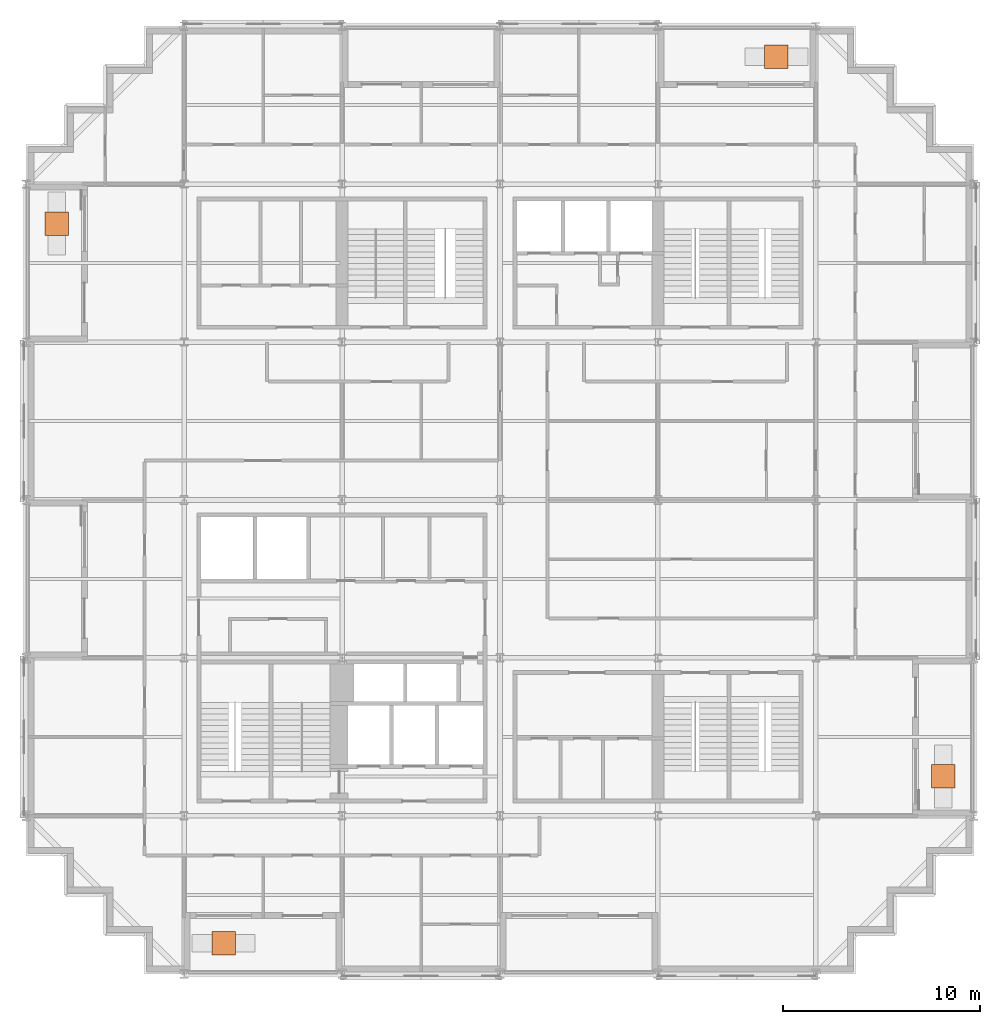
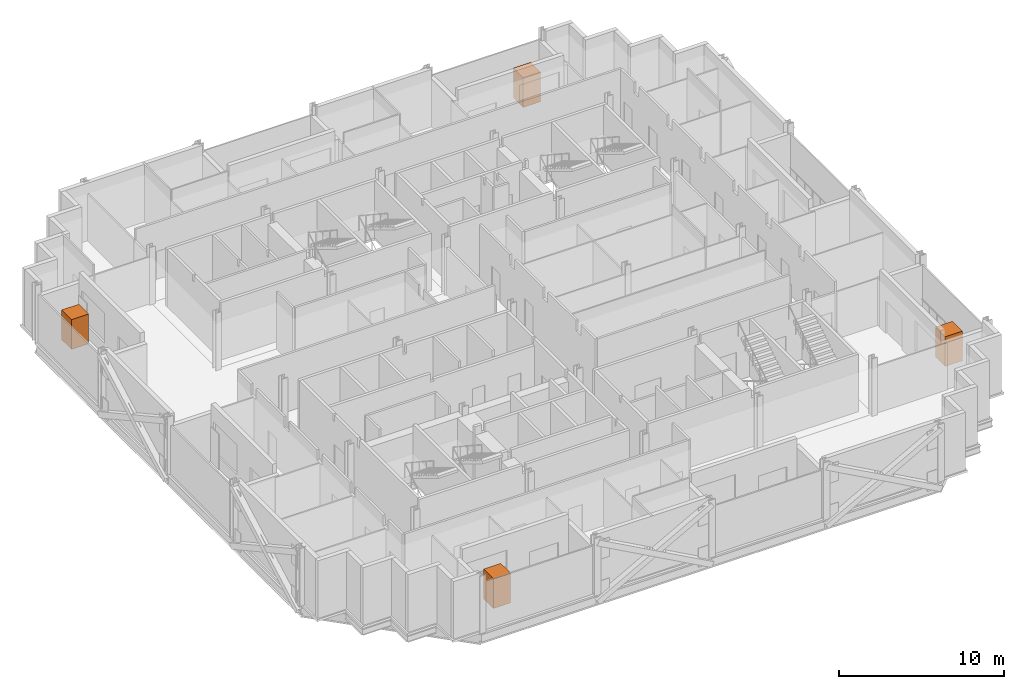
# One storey, part 15 of 15: 4 geographic elements.
"""IFC4 building model written with IfcOpenShell, lengths in metres."""

from ifc_helpers import new_model, si_unit, direction, frame, origin, origin_2d, place, context, subcontext, project, spatial, rectangle, extrude, material, type_object, element, save


model = new_model("IFC4")

# Units and contexts
model_context = context("Model", 3, precision=1e-05, world=origin(), true_north=direction((0.0, 1.0)))
body_context = subcontext(model_context, "Body", "Model", "MODEL_VIEW")
ifc_project = project(units=[si_unit("LENGTHUNIT", "METRE"), si_unit("AREAUNIT", "SQUARE_METRE"), si_unit("VOLUMEUNIT", "CUBIC_METRE"), si_unit("PLANEANGLEUNIT", "RADIAN"), si_unit("MASSUNIT", "GRAM", prefix="KILO")], contexts=[model_context])

# Site, building, storey
site_placement = place(None, origin())
site = spatial("IfcSite", under=ifc_project, at=site_placement, CompositionType="ELEMENT")
building_placement = place(site_placement, origin())
building = spatial("IfcBuilding", under=site, at=building_placement, Name="Immortelle Media Tower", CompositionType="ELEMENT")
storey_placement = place(building_placement, frame((0.0, 0.0, 65.60009765625)))
storey = spatial("IfcBuildingStorey", under=building, at=storey_placement, Name="L11", CompositionType="ELEMENT", Elevation=65.60009765625)

# Geographic elements
ifc_material = material(Name="Tree canopy foliage")
geographic_element_type = type_object("IfcGeographicElementType", Name="Tree", PredefinedType="USERDEFINED", material=ifc_material)
for number, where, z_axis, x_axis, name in (
    (1, (1.550048828125, 38.0, 0.60009765625), (0.0, 0.0, 1.0), (1.0, 0.0, 0.0), "Tree L11 W0"),
    (2, (10.0, 1.550048828125, 0.60009765625), (0.0, 0.0, 1.0), (1.0, 0.0, 0.0), "Tree L11 S0"),
    (3, (46.449951171875, 10.0, 0.60009765625), (0.0, 0.0, 1.0), (1.0, 0.0, 0.0), "Tree L11 E0"),
    (4, (38.0, 46.449951171875, 0.60009765625), (0.0, 0.0, 1.0), (1.0, 0.0, 0.0), "Tree L11 N0"),
):
    element("IfcGeographicElement", number, at=place(storey_placement, frame(where, z_axis=z_axis, x_axis=x_axis)), inside=storey, type_object=geographic_element_type, Name=name, ObjectType="Tree", PredefinedType="USERDEFINED", context=body_context, shape_type="SweptSolid", body=[
        extrude(rectangle(XDim=1.199951171875, YDim=1.199951171875, at=origin_2d()), origin(), (0.0, 0.0, 1.0), 2.199951171875),
    ])

save(model, "model.ifc")
